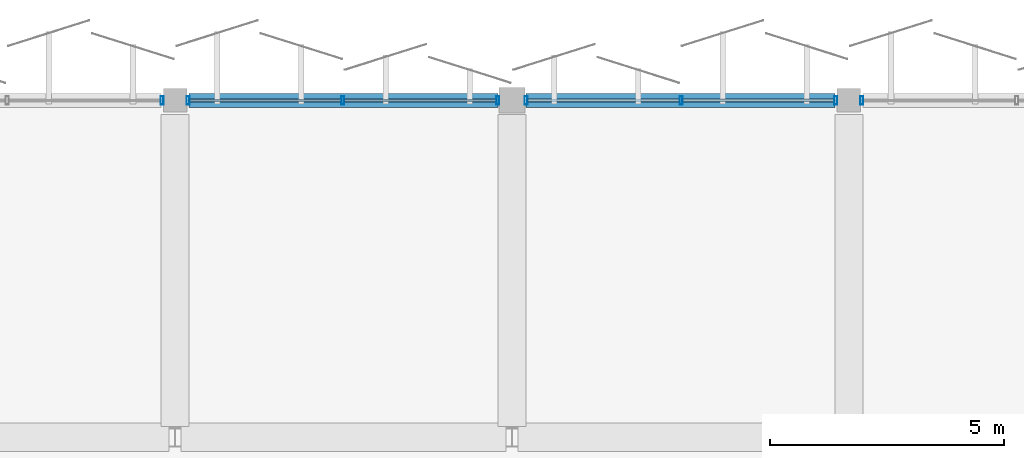
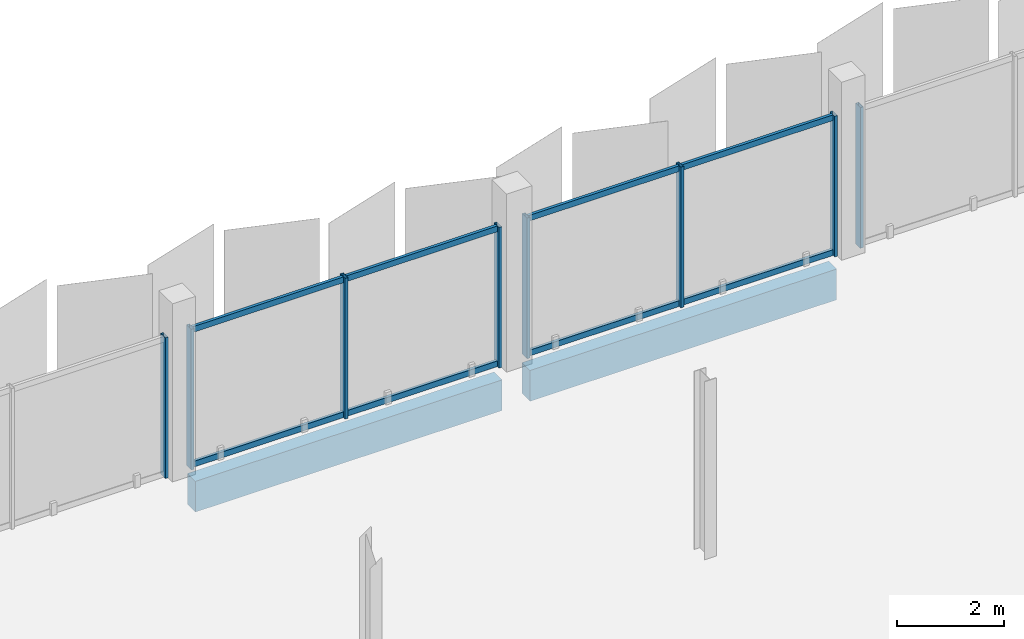
# One storey, part 47 of 107: 16 members, 2 beams, 4 elements without a shape of their own.
"""IFC4 building model written with IfcOpenShell, lengths in metres."""

import ifcopenshell
import ifcopenshell.guid

model = None  # the IFC model being written
_history = None  # IfcOwnerHistory: only IFC2X3 demands one
_inside = {}  # id of a spatial element -> (the spatial element, [elements in it])
_under = {}  # id of a project, library or spatial element -> (it, [spatial elements below it])
_declared = {}  # id of a project -> (the project, [libraries it declares])
_typed = {}  # id of a type object -> (the type object, [elements of that type])
_made_of = {}  # id of a material, layer set ... -> (it, [elements and type objects made of it])


def new_model(schema):
    """Start an empty IFC model of exactly this schema.

    Asked for "IFC4X3", IfcOpenShell would pick the latest addendum, in which some entities
    have other attributes; the version numbers below select the first issue.
    IFC2X3 requires an IfcOwnerHistory on every rooted entity: one is made here for all.
    """
    global model, _history
    if schema == "IFC4X3":
        model = ifcopenshell.file(schema_version=(4, 3, 0, 0))
    else:
        model = ifcopenshell.file(schema=schema)
    _inside.clear()
    _under.clear()
    _declared.clear()
    _typed.clear()
    _made_of.clear()
    _history = None
    if model.schema == "IFC2X3":
        org = make("IfcOrganization", Name="unknown")
        user = make(
            "IfcPersonAndOrganization",
            ThePerson=make("IfcPerson", FamilyName="unknown"),
            TheOrganization=org,
        )
        app = make(
            "IfcApplication",
            ApplicationDeveloper=org,
            Version="unknown",
            ApplicationFullName="unknown",
            ApplicationIdentifier="unknown",
        )
        _history = make(
            "IfcOwnerHistory",
            OwningUser=user,
            OwningApplication=app,
            ChangeAction="ADDED",
            CreationDate=0,
        )
    return model


def make(cls, **values):
    """One entity of the class cls with the attributes given. An attribute that is None is left unset."""
    return model.create_entity(
        cls, **{name: value for name, value in values.items() if value is not None}
    )


def rooted(cls, **values):
    """An entity with a GlobalId (a new one), such as an element, a storey or a relation."""
    return make(cls, GlobalId=ifcopenshell.guid.new(), OwnerHistory=_history, **values)


def si_unit(unit_type, name, prefix=None):
    """IfcSIUnit, for example si_unit("LENGTHUNIT", "METRE", prefix="MILLI")."""
    return make("IfcSIUnit", UnitType=unit_type, Prefix=prefix, Name=name)


def assignment(units):
    """IfcUnitAssignment: the units of a project."""
    return None if units is None else make("IfcUnitAssignment", Units=units)


def point(xyz):
    """IfcCartesianPoint."""
    return None if xyz is None else make("IfcCartesianPoint", Coordinates=xyz)


def direction(xyz):
    """IfcDirection."""
    return None if xyz is None else make("IfcDirection", DirectionRatios=xyz)


def frame(location, z_axis=None, x_axis=None):
    """IfcAxis2Placement3D, a coordinate frame: its origin and axes. An axis left out is left unset."""
    return make(
        "IfcAxis2Placement3D",
        Location=point(location),
        Axis=direction(z_axis),
        RefDirection=direction(x_axis),
    )


def frame_2d(location, x_axis=None):
    """IfcAxis2Placement2D, a coordinate frame in the plane: its origin and x axis."""
    return make(
        "IfcAxis2Placement2D", Location=point(location), RefDirection=direction(x_axis)
    )


def origin():
    """The frame at (0, 0, 0) with its axes left unset."""
    return frame((0.0, 0.0, 0.0))


def origin_2d():
    """The frame at (0, 0) in the plane with its x axis left unset."""
    return frame_2d((0.0, 0.0))


def place(relative_to, where):
    """IfcLocalPlacement: puts the frame where relative to a parent placement (None: the world)."""
    return make(
        "IfcLocalPlacement", PlacementRelTo=relative_to, RelativePlacement=where
    )


def context(
    kind, dimensions, precision=None, world=None, true_north=None, identifier=None
):
    """IfcGeometricRepresentationContext, for example the 3D "Model" context."""
    return make(
        "IfcGeometricRepresentationContext",
        ContextIdentifier=identifier,
        ContextType=kind,
        CoordinateSpaceDimension=dimensions,
        Precision=precision,
        WorldCoordinateSystem=world,
        TrueNorth=true_north,
    )


def subcontext(parent, identifier, kind, view, scale=None):
    """IfcGeometricRepresentationSubContext, for example "Body" below "Model"."""
    return make(
        "IfcGeometricRepresentationSubContext",
        ContextIdentifier=identifier,
        ContextType=kind,
        ParentContext=parent,
        TargetScale=scale,
        TargetView=view,
    )


def project(units=None, contexts=None):
    """IfcProject with its units and contexts."""
    return rooted(
        "IfcProject",
        Name="project",
        RepresentationContexts=contexts,
        UnitsInContext=assignment(units),
    )


def spatial(cls, under=None, at=None, **own):
    """A site, building, storey or space (cls), placed at a placement, below another one or the project."""
    s = rooted(cls, ObjectPlacement=at, **own)
    if under is not None:
        _under.setdefault(under.id(), (under, []))[1].append(s)
    return s


def profile(cls, at=None, kind="AREA", **sizes):
    """A parametric profile (cls). Its sizes go by their IFC names, for example OverallWidth=200.0."""
    return make(cls, ProfileType=kind, Position=at, **sizes)


def rectangle(**sizes):
    """IfcRectangleProfileDef."""
    return profile("IfcRectangleProfileDef", **sizes)


def hollow_rectangle(**sizes):
    """IfcRectangleHollowProfileDef."""
    return profile("IfcRectangleHollowProfileDef", **sizes)


def extrude(swept, where, along, depth):
    """IfcExtrudedAreaSolid: the profile swept, set in the frame where, extruded along a direction by depth."""
    return make(
        "IfcExtrudedAreaSolid",
        SweptArea=swept,
        Position=where,
        ExtrudedDirection=direction(along),
        Depth=depth,
    )


def shape(context_of_items, identifier, shape_type, items):
    """IfcShapeRepresentation: the items that make up one representation, for example the "Body"."""
    return make(
        "IfcShapeRepresentation",
        ContextOfItems=context_of_items,
        RepresentationIdentifier=identifier,
        RepresentationType=shape_type,
        Items=items,
    )


def material(Name=None, Category=None):
    """IfcMaterial."""
    return make("IfcMaterial", Name=Name, Category=Category)


def layer(
    of_material, thickness, ventilated=None, Name=None, Category=None, Priority=None
):
    """IfcMaterialLayer: one layer of a wall or slab, of a material (None: an air gap)."""
    return make(
        "IfcMaterialLayer",
        Material=of_material,
        LayerThickness=thickness,
        IsVentilated=ventilated,
        Name=Name,
        Category=Category,
        Priority=Priority,
    )


def layer_set(layers, Name=None):
    """IfcMaterialLayerSet."""
    return make("IfcMaterialLayerSet", MaterialLayers=layers, LayerSetName=Name)


def material_profile(
    of_material, cross_section, Name=None, Category=None, Priority=None
):
    """IfcMaterialProfile: a cross section and its material."""
    return make(
        "IfcMaterialProfile",
        Name=Name,
        Material=of_material,
        Profile=cross_section,
        Priority=Priority,
        Category=Category,
    )


def profile_set(profiles, Name=None, composite=None):
    """IfcMaterialProfileSet."""
    return make(
        "IfcMaterialProfileSet",
        Name=Name,
        MaterialProfiles=profiles,
        CompositeProfile=composite,
    )


def made_of(thing, what):
    """Note that an element or type object is made of a material, layer set ...; save() writes the relation."""
    if what is not None:
        _made_of.setdefault(what.id(), (what, []))[1].append(thing)
    return thing


def type_object(cls, material=None, **own):
    """A type object (cls), such as IfcWallType, which elements share."""
    return made_of(rooted(cls, **own), material)


def element(
    cls,
    number,
    at=None,
    inside=None,
    cuts=None,
    type_object=None,
    material=None,
    context=None,
    identifier="Body",
    shape_type=None,
    held_by="IfcProductDefinitionShape",
    body=None,
    shapes=None,
    **own,
):
    """One element of the class cls, such as IfcWall. Its Tag is "e" and its number.

    at: its placement. inside: the storey or other place that contains it. cuts: it is an
    opening in that element (IfcRelVoidsElement). A single representation is given by context,
    identifier, shape_type and body (its items); several are given by shapes. held_by: the class
    of the entity that holds the representations. save() writes the other relations.
    """
    e = rooted(cls, Tag="e%d" % number, ObjectPlacement=at, **own)
    if body is not None:
        shapes = [shape(context, identifier, shape_type, body)]
    if shapes is not None:
        e.Representation = make(held_by, Representations=shapes)
    if inside is not None:
        _inside.setdefault(inside.id(), (inside, []))[1].append(e)
    if cuts is not None:
        rooted(
            "IfcRelVoidsElement", RelatingBuildingElement=cuts, RelatedOpeningElement=e
        )
    if type_object is not None:
        _typed.setdefault(type_object.id(), (type_object, []))[1].append(e)
    return made_of(e, material)


def aggregate(whole, parts):
    """IfcRelAggregates: a whole, such as a stair, and the parts it consists of."""
    return rooted("IfcRelAggregates", RelatingObject=whole, RelatedObjects=parts)


def save(model, path):
    """Write the relations noted so far, then the file.

    IfcRelAggregates (storeys below a building ...), IfcRelContainedInSpatialStructure (elements
    in a storey), IfcRelDefinesByType, IfcRelAssociatesMaterial and IfcRelDeclares: one each for
    every whole, place, type object, material and project.
    """
    for whole, parts in _under.values():
        aggregate(whole, parts)
    for where, things in _inside.values():
        rooted(
            "IfcRelContainedInSpatialStructure",
            RelatedElements=things,
            RelatingStructure=where,
        )
    for kind, things in _typed.values():
        rooted("IfcRelDefinesByType", RelatedObjects=things, RelatingType=kind)
    for what, things in _made_of.values():
        rooted("IfcRelAssociatesMaterial", RelatedObjects=things, RelatingMaterial=what)
    for by, libraries in _declared.values():
        rooted("IfcRelDeclares", RelatingContext=by, RelatedDefinitions=libraries)
    model.write(path)


model = new_model("IFC4")

# Units and contexts
model_context = context("Model", 3, precision=1e-05, world=origin(), true_north=direction((0.0, 1.0)))
body_context = subcontext(model_context, "Body", "Model", "MODEL_VIEW")
ifc_project = project(units=[si_unit("LENGTHUNIT", "METRE"), si_unit("AREAUNIT", "SQUARE_METRE"), si_unit("VOLUMEUNIT", "CUBIC_METRE"), si_unit("PLANEANGLEUNIT", "RADIAN"), si_unit("MASSUNIT", "GRAM", prefix="KILO")], contexts=[model_context])

# Site, building, storey
site_placement = place(None, origin())
site = spatial("IfcSite", under=ifc_project, at=site_placement, CompositionType="ELEMENT")
building_placement = place(site_placement, origin())
building = spatial("IfcBuilding", under=site, at=building_placement, Name="Kangsadwip Square Police Headquarters", CompositionType="ELEMENT")
storey_placement = place(building_placement, frame((0.0, 0.0, 5.39990234375)))
storey = spatial("IfcBuildingStorey", under=building, at=storey_placement, Name="L01", CompositionType="ELEMENT", Elevation=5.39990234375)

# Curtain wall, member
ifc_material_1 = material(Name="Thermally broken anodised aluminium AW-6063-T6", Category="aluminium")
ifc_layer = layer(ifc_material_1, 0.159912109375)
ifc_layer_set = layer_set([ifc_layer], Name="Thermally broken anodised aluminium AW-6063-T6")
curtain_wall_type = type_object("IfcCurtainWallType", Name="UnitisedCw6685x3200", PredefinedType="NOTDEFINED", material=ifc_layer_set)
curtain_wall_1_placement = place(storey_placement, origin())
curtain_wall_1 = element("IfcCurtainWall", 1, at=curtain_wall_1_placement, inside=storey, type_object=curtain_wall_type, Name="Curtain Wall CW-L01-0579-1152", PredefinedType="NOTDEFINED")
ifc_material_2 = material(Name="Thermally broken anodised aluminium AW-6063-T6", Category="aluminium")
ifc_material_profile_1 = material_profile(ifc_material_2, hollow_rectangle(XDim=0.06494140625, YDim=0.179931640625, WallThickness=0.00390625, at=origin_2d()), Name="CWM 180X65X4")
ifc_profile_set_1 = profile_set([ifc_material_profile_1], Name="Thermally broken anodised aluminium AW-6063-T6")
member_type_1 = type_object("IfcMemberType", Name="CwMullion160x65", PredefinedType="MULLION", material=ifc_profile_set_1)
member_1_placement = place(storey_placement, frame((64.5224609375, 115.199951171875, 0.0), z_axis=(0.0, 0.0, 1.0), x_axis=(1.0, 0.0, 0.0)))
member_1 = element("IfcMember", 2, at=member_1_placement, type_object=member_type_1, Name="CW-23 mullion 3", PredefinedType="MULLION", context=body_context, shape_type="SweptSolid", body=[
    extrude(hollow_rectangle(XDim=0.06494140625, YDim=0.179931640625, WallThickness=0.00390625, at=origin_2d()), origin(), (0.0, 0.0, 1.0), 3.2001953125),
])
aggregate(curtain_wall_1, [member_1])

# Curtain wall, members
curtain_wall_2_placement = place(storey_placement, origin())
curtain_wall_2 = element("IfcCurtainWall", 3, at=curtain_wall_2_placement, inside=storey, type_object=curtain_wall_type, Name="Curtain Wall CW-L01-0650-1152", PredefinedType="NOTDEFINED")
member_2_placement = place(storey_placement, frame((65.077392578125, 115.199951171875, 0.0), z_axis=(0.0, 0.0, 1.0), x_axis=(1.0, 0.0, 0.0)))
member_2 = element("IfcMember", 4, at=member_2_placement, type_object=member_type_1, Name="CW-23 mullion 1", PredefinedType="MULLION", context=body_context, shape_type="SweptSolid", body=[
    extrude(hollow_rectangle(XDim=0.06494140625, YDim=0.179931640625, WallThickness=0.00390625, at=origin_2d()), origin(), (0.0, 0.0, 1.0), 3.2001953125),
])
member_3_placement = place(storey_placement, frame((68.387451171875, 115.199951171875, 0.0), z_axis=(0.0, 0.0, 1.0), x_axis=(1.0, 0.0, 0.0)))
member_3 = element("IfcMember", 5, at=member_3_placement, type_object=member_type_1, Name="CW-23 mullion 2", PredefinedType="MULLION", context=body_context, shape_type="SweptSolid", body=[
    extrude(hollow_rectangle(XDim=0.06494140625, YDim=0.179931640625, WallThickness=0.00390625, at=origin_2d()), origin(), (0.0, 0.0, 1.0), 3.2001953125),
])
member_4_placement = place(storey_placement, frame((71.697509765625, 115.199951171875, 0.0), z_axis=(0.0, 0.0, 1.0), x_axis=(1.0, 0.0, 0.0)))
member_4 = element("IfcMember", 6, at=member_4_placement, type_object=member_type_1, Name="CW-23 mullion 3", PredefinedType="MULLION", context=body_context, shape_type="SweptSolid", body=[
    extrude(hollow_rectangle(XDim=0.06494140625, YDim=0.179931640625, WallThickness=0.00390625, at=origin_2d()), origin(), (0.0, 0.0, 1.0), 3.2001953125),
])

curtain_wall_3_placement = place(storey_placement, origin())
curtain_wall_3 = element("IfcCurtainWall", 7, at=curtain_wall_3_placement, inside=storey, type_object=curtain_wall_type, Name="Curtain Wall CW-L01-0723-1152", PredefinedType="NOTDEFINED")
member_5_placement = place(storey_placement, frame((72.302490234375, 115.199951171875, 0.0), z_axis=(0.0, 0.0, 1.0), x_axis=(1.0, 0.0, 0.0)))
member_5 = element("IfcMember", 8, at=member_5_placement, type_object=member_type_1, Name="CW-23 mullion 1", PredefinedType="MULLION", context=body_context, shape_type="SweptSolid", body=[
    extrude(hollow_rectangle(XDim=0.06494140625, YDim=0.179931640625, WallThickness=0.00390625, at=origin_2d()), origin(), (0.0, 0.0, 1.0), 3.2001953125),
])
member_6_placement = place(storey_placement, frame((75.612548828125, 115.199951171875, 0.0), z_axis=(0.0, 0.0, 1.0), x_axis=(1.0, 0.0, 0.0)))
member_6 = element("IfcMember", 9, at=member_6_placement, type_object=member_type_1, Name="CW-23 mullion 2", PredefinedType="MULLION", context=body_context, shape_type="SweptSolid", body=[
    extrude(hollow_rectangle(XDim=0.06494140625, YDim=0.179931640625, WallThickness=0.00390625, at=origin_2d()), origin(), (0.0, 0.0, 1.0), 3.2001953125),
])
member_7_placement = place(storey_placement, frame((78.922607421875, 115.199951171875, 0.0), z_axis=(0.0, 0.0, 1.0), x_axis=(1.0, 0.0, 0.0)))
member_7 = element("IfcMember", 10, at=member_7_placement, type_object=member_type_1, Name="CW-23 mullion 3", PredefinedType="MULLION", context=body_context, shape_type="SweptSolid", body=[
    extrude(hollow_rectangle(XDim=0.06494140625, YDim=0.179931640625, WallThickness=0.00390625, at=origin_2d()), origin(), (0.0, 0.0, 1.0), 3.2001953125),
])

# Curtain wall, member
curtain_wall_4_placement = place(storey_placement, origin())
curtain_wall_4 = element("IfcCurtainWall", 11, at=curtain_wall_4_placement, inside=storey, type_object=curtain_wall_type, Name="Curtain Wall CW-L01-0794-1152", PredefinedType="NOTDEFINED")
member_8_placement = place(storey_placement, frame((79.4775390625, 115.199951171875, 0.0), z_axis=(0.0, 0.0, 1.0), x_axis=(1.0, 0.0, 0.0)))
member_8 = element("IfcMember", 12, at=member_8_placement, type_object=member_type_1, Name="CW-23 mullion 1", PredefinedType="MULLION", context=body_context, shape_type="SweptSolid", body=[
    extrude(hollow_rectangle(XDim=0.06494140625, YDim=0.179931640625, WallThickness=0.00390625, at=origin_2d()), origin(), (0.0, 0.0, 1.0), 3.2001953125),
])
aggregate(curtain_wall_4, [member_8])

# Member
ifc_material_3 = material(Name="Thermally broken anodised aluminium AW-6063-T6", Category="aluminium")
ifc_material_profile_2 = material_profile(ifc_material_3, hollow_rectangle(XDim=0.06494140625, YDim=0.1298828125, WallThickness=0.00390625, at=origin_2d()), Name="CWT 130X65X4")
ifc_profile_set_2 = profile_set([ifc_material_profile_2], Name="Thermally broken anodised aluminium AW-6063-T6")
member_type_2 = type_object("IfcMemberType", Name="CwTransom140x60", PredefinedType="USERDEFINED", material=ifc_profile_set_2)
member_9_placement = place(storey_placement, frame((65.110107421875, 115.199951171875, 0.065185546875), z_axis=(1.0, 0.0, 0.0), x_axis=(0.0, 1.0, 0.0)))
member_9 = element("IfcMember", 13, at=member_9_placement, type_object=member_type_2, Name="CW-23 transom 1.1", ObjectType="TRANSOM", PredefinedType="USERDEFINED", context=body_context, shape_type="SweptSolid", body=[
    extrude(hollow_rectangle(XDim=0.06494140625, YDim=0.1298828125, WallThickness=0.00390625, at=origin_2d()), origin(), (0.0, 0.0, 1.0), 3.244873046875),
])

member_10_placement = place(storey_placement, frame((65.110107421875, 115.199951171875, 3.135009765625), z_axis=(1.0, 0.0, 0.0), x_axis=(0.0, 1.0, 0.0)))
member_10 = element("IfcMember", 14, at=member_10_placement, type_object=member_type_2, Name="CW-23 transom 1.2", ObjectType="TRANSOM", PredefinedType="USERDEFINED", context=body_context, shape_type="SweptSolid", body=[
    extrude(hollow_rectangle(XDim=0.06494140625, YDim=0.1298828125, WallThickness=0.00390625, at=origin_2d()), origin(), (0.0, 0.0, 1.0), 3.244873046875),
])

member_11_placement = place(storey_placement, frame((68.419921875, 115.199951171875, 0.065185546875), z_axis=(1.0, 0.0, 0.0), x_axis=(0.0, 1.0, 0.0)))
member_11 = element("IfcMember", 15, at=member_11_placement, type_object=member_type_2, Name="CW-23 transom 2.1", ObjectType="TRANSOM", PredefinedType="USERDEFINED", context=body_context, shape_type="SweptSolid", body=[
    extrude(hollow_rectangle(XDim=0.06494140625, YDim=0.1298828125, WallThickness=0.00390625, at=origin_2d()), origin(), (0.0, 0.0, 1.0), 3.2451171875),
])

member_12_placement = place(storey_placement, frame((68.419921875, 115.199951171875, 3.135009765625), z_axis=(1.0, 0.0, 0.0), x_axis=(0.0, 1.0, 0.0)))
member_12 = element("IfcMember", 16, at=member_12_placement, type_object=member_type_2, Name="CW-23 transom 2.2", ObjectType="TRANSOM", PredefinedType="USERDEFINED", context=body_context, shape_type="SweptSolid", body=[
    extrude(hollow_rectangle(XDim=0.06494140625, YDim=0.1298828125, WallThickness=0.00390625, at=origin_2d()), origin(), (0.0, 0.0, 1.0), 3.2451171875),
])

aggregate(curtain_wall_2, [member_2, member_3, member_4, member_9, member_10, member_11, member_12])

member_13_placement = place(storey_placement, frame((72.3349609375, 115.199951171875, 0.065185546875), z_axis=(1.0, 0.0, 0.0), x_axis=(0.0, 1.0, 0.0)))
member_13 = element("IfcMember", 17, at=member_13_placement, type_object=member_type_2, Name="CW-23 transom 1.1", ObjectType="TRANSOM", PredefinedType="USERDEFINED", context=body_context, shape_type="SweptSolid", body=[
    extrude(hollow_rectangle(XDim=0.06494140625, YDim=0.1298828125, WallThickness=0.00390625, at=origin_2d()), origin(), (0.0, 0.0, 1.0), 3.2451171875),
])

member_14_placement = place(storey_placement, frame((72.3349609375, 115.199951171875, 3.135009765625), z_axis=(1.0, 0.0, 0.0), x_axis=(0.0, 1.0, 0.0)))
member_14 = element("IfcMember", 18, at=member_14_placement, type_object=member_type_2, Name="CW-23 transom 1.2", ObjectType="TRANSOM", PredefinedType="USERDEFINED", context=body_context, shape_type="SweptSolid", body=[
    extrude(hollow_rectangle(XDim=0.06494140625, YDim=0.1298828125, WallThickness=0.00390625, at=origin_2d()), origin(), (0.0, 0.0, 1.0), 3.2451171875),
])

member_15_placement = place(storey_placement, frame((75.64501953125, 115.199951171875, 0.065185546875), z_axis=(1.0, 0.0, 0.0), x_axis=(0.0, 1.0, 0.0)))
member_15 = element("IfcMember", 19, at=member_15_placement, type_object=member_type_2, Name="CW-23 transom 2.1", ObjectType="TRANSOM", PredefinedType="USERDEFINED", context=body_context, shape_type="SweptSolid", body=[
    extrude(hollow_rectangle(XDim=0.06494140625, YDim=0.1298828125, WallThickness=0.00390625, at=origin_2d()), origin(), (0.0, 0.0, 1.0), 3.244873046875),
])

member_16_placement = place(storey_placement, frame((75.64501953125, 115.199951171875, 3.135009765625), z_axis=(1.0, 0.0, 0.0), x_axis=(0.0, 1.0, 0.0)))
member_16 = element("IfcMember", 20, at=member_16_placement, type_object=member_type_2, Name="CW-23 transom 2.2", ObjectType="TRANSOM", PredefinedType="USERDEFINED", context=body_context, shape_type="SweptSolid", body=[
    extrude(hollow_rectangle(XDim=0.06494140625, YDim=0.1298828125, WallThickness=0.00390625, at=origin_2d()), origin(), (0.0, 0.0, 1.0), 3.244873046875),
])

aggregate(curtain_wall_3, [member_5, member_6, member_7, member_13, member_14, member_15, member_16])

# Beams
ifc_material_4 = material(Name="Concrete M40 (40 MPa)", Category="concrete")
ifc_material_profile_3 = material_profile(ifc_material_4, rectangle(XDim=0.300048828125, YDim=0.699951171875, at=origin_2d()), Name="RC SPN 700X300")
ifc_profile_set_3 = profile_set([ifc_material_profile_3], Name="Concrete M40 (40 MPa)")
beam_type = type_object("IfcBeamType", Name="RcSpandrel700x300", PredefinedType="SPANDREL", material=ifc_profile_set_3)
for number, where, z_axis, x_axis, name in (
    (21, (65.10009765625, 115.199951171875, -0.58984375), (1.0, 0.0, 0.0), (0.0, 1.0, 0.0), "Beam BM-L01-X-09-16"),
    (22, (72.300048828125, 115.199951171875, -0.58984375), (1.0, 0.0, 0.0), (0.0, 1.0, 0.0), "Beam BM-L01-X-10-16"),
):
    element("IfcBeam", number, at=place(storey_placement, frame(where, z_axis=z_axis, x_axis=x_axis)), inside=storey, type_object=beam_type, Name=name, PredefinedType="SPANDREL", context=body_context, shape_type="SweptSolid", body=[
        extrude(rectangle(XDim=0.300048828125, YDim=0.699951171875, at=origin_2d()), origin(), (0.0, 0.0, 1.0), 6.599853515625),
    ])

save(model, "model.ifc")
